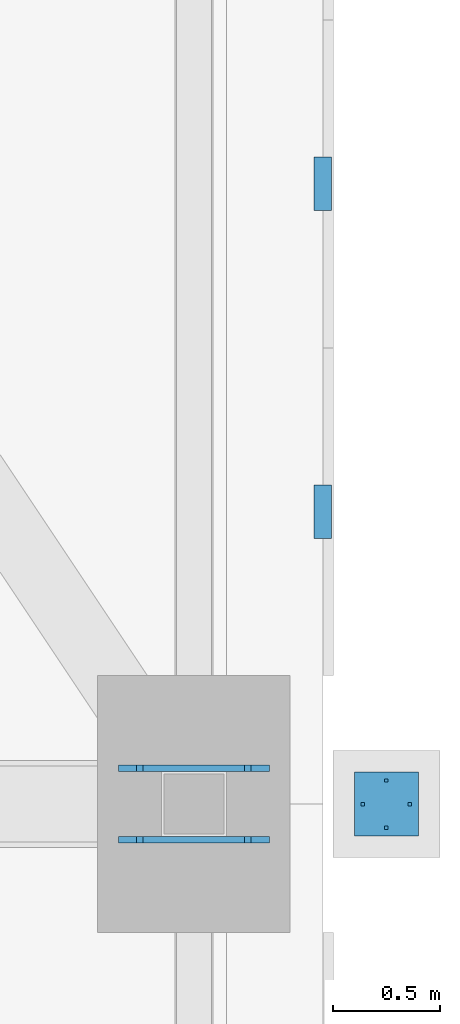
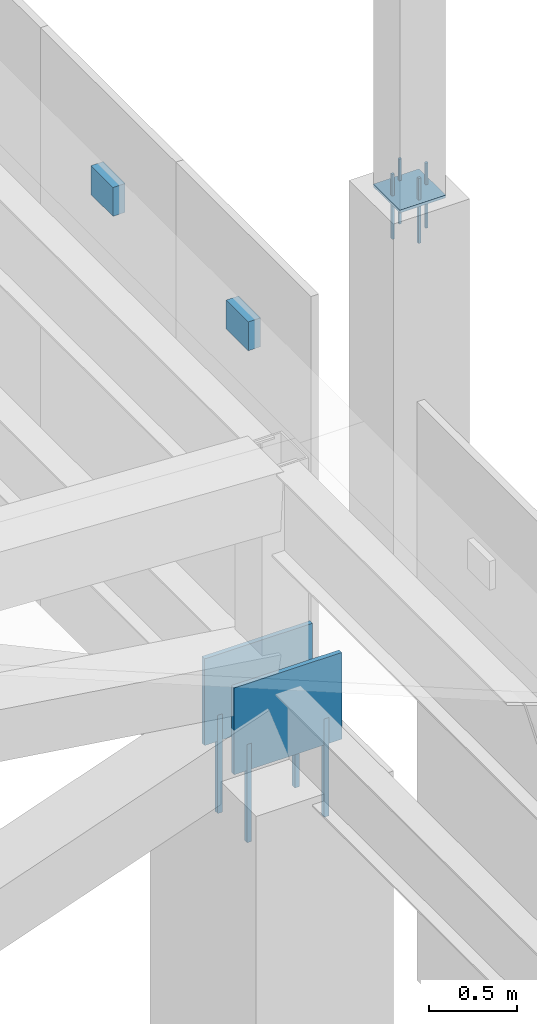
# One storey, part 205 of 278: 8 mechanical fasteners, 5 discrete accessories.
"""IFC4 building model written with IfcOpenShell, lengths in metres."""

from ifc_helpers import new_model, si_unit, direction, frame, origin, origin_2d, place, context, subcontext, project, spatial, rectangle, extrude, material, layer, layer_set, type_object, element, save


model = new_model("IFC4")

# Units and contexts
model_context = context("Model", 3, precision=1e-05, world=origin(), true_north=direction((0.0, 1.0)))
body_context = subcontext(model_context, "Body", "Model", "MODEL_VIEW")
ifc_project = project(units=[si_unit("LENGTHUNIT", "METRE"), si_unit("AREAUNIT", "SQUARE_METRE"), si_unit("VOLUMEUNIT", "CUBIC_METRE"), si_unit("PLANEANGLEUNIT", "RADIAN"), si_unit("MASSUNIT", "GRAM", prefix="KILO")], contexts=[model_context])

# Site, building, storey
site_placement = place(None, origin())
site = spatial("IfcSite", under=ifc_project, at=site_placement, CompositionType="ELEMENT")
building_placement = place(site_placement, origin())
building = spatial("IfcBuilding", under=site, at=building_placement, Name="Ogive Plaza Stadium", CompositionType="ELEMENT")
storey_placement = place(building_placement, frame((0.0, 0.0, 29.0)))
storey = spatial("IfcBuildingStorey", under=building, at=storey_placement, Name="Roof", CompositionType="ELEMENT", Elevation=29.0)

# Mechanical fasteners
ifc_material_1 = material(Name="Steel ASTM A992 Grade 50", Category="steel")
mechanical_fastener_type_1 = type_object("IfcMechanicalFastenerType", Name="Anchor bolt M30 x 600", PredefinedType="ANCHORBOLT", material=ifc_material_1)
for number, where, z_axis, x_axis, name in (
    (1, (84.25244140625, 7.66650390625, 3.0), (0.0, 0.0, 1.0), (1.0, 0.0, 0.0), "ANCHOR BOLT 04 BF 1.1"),
    (2, (83.74755859375, 7.66650390625, 3.0), (0.0, 0.0, 1.0), (1.0, 0.0, 0.0), "ANCHOR BOLT 04 BF 1.2"),
    (3, (84.25244140625, 7.33349609375, 3.0), (0.0, 0.0, 1.0), (1.0, 0.0, 0.0), "ANCHOR BOLT 04 BF 2.1"),
    (4, (83.74755859375, 7.33349609375, 3.0), (0.0, 0.0, 1.0), (1.0, 0.0, 0.0), "ANCHOR BOLT 04 BF 2.2"),
):
    element("IfcMechanicalFastener", number, at=place(storey_placement, frame(where, z_axis=z_axis, x_axis=x_axis)), inside=storey, type_object=mechanical_fastener_type_1, Name=name, PredefinedType="ANCHORBOLT", context=body_context, shape_type="SweptSolid", body=[
        extrude(rectangle(XDim=0.030029296875, YDim=0.030029296875, at=origin_2d()), origin(), (0.0, 0.0, 1.0), 0.679931640625),
    ])
ifc_material_2 = material(Name="Steel ASTM A992 Grade 50", Category="steel")
mechanical_fastener_type_2 = type_object("IfcMechanicalFastenerType", Name="Spire anchor bolt M16 x 450", PredefinedType="ANCHORBOLT", material=ifc_material_2)
for number, where, z_axis, x_axis, name in (
    (5, (85.010009765625, 7.5, 6.7001953125), (0.0, 0.0, 1.0), (1.0, 0.0, 0.0), "SPIRE ANCHOR BOLT 04 1"),
    (6, (84.7900390625, 7.5, 6.7001953125), (0.0, 0.0, 1.0), (1.0, 0.0, 0.0), "SPIRE ANCHOR BOLT 04 2"),
    (7, (84.89990234375, 7.610107421875, 6.7001953125), (0.0, 0.0, 1.0), (1.0, 0.0, 0.0), "SPIRE ANCHOR BOLT 04 3"),
    (8, (84.89990234375, 7.389892578125, 6.7001953125), (0.0, 0.0, 1.0), (1.0, 0.0, 0.0), "SPIRE ANCHOR BOLT 04 4"),
):
    element("IfcMechanicalFastener", number, at=place(storey_placement, frame(where, z_axis=z_axis, x_axis=x_axis)), inside=storey, type_object=mechanical_fastener_type_2, Name=name, PredefinedType="ANCHORBOLT", context=body_context, shape_type="SweptSolid", body=[
        extrude(rectangle(XDim=0.01611328125, YDim=0.01611328125, at=origin_2d()), origin(), (0.0, 0.0, 1.0), 0.449951171875),
    ])

# Discrete accessories
ifc_material_3 = material(Name="Steel ASTM A992 Grade 50", Category="steel")
ifc_layer_1 = layer(ifc_material_3, 0.02001953125)
ifc_layer_set_1 = layer_set([ifc_layer_1], Name="Steel ASTM A992 Grade 50")
discrete_accessory_type_1 = type_object("IfcDiscreteAccessoryType", Name="Spire seat plate 20", PredefinedType="ANCHORPLATE", material=ifc_layer_set_1)
discrete_accessory_placement = place(storey_placement, frame((84.89990234375, 7.5, 6.98095703125), z_axis=(0.0, 0.0, 1.0), x_axis=(1.0, 0.0, 0.0)))
element("IfcDiscreteAccessory", 9, at=discrete_accessory_placement, inside=storey, type_object=discrete_accessory_type_1, Name="SPIRE SEAT PLATE 04", PredefinedType="ANCHORPLATE", context=body_context, shape_type="SweptSolid", body=[
    extrude(rectangle(XDim=0.300048828125, YDim=0.300048828125, at=origin_2d()), origin(), (0.0, 0.0, 1.0), 0.02001953125),
])
ifc_material_4 = material(Name="Steel ASTM A572 Grade 50", Category="steel")
ifc_layer_2 = layer(ifc_material_4, 0.080078125)
ifc_layer_set_2 = layer_set([ifc_layer_2], Name="Steel ASTM A572 Grade 50")
discrete_accessory_type_2 = type_object("IfcDiscreteAccessoryType", Name="Tracery screen bracket 250x200", PredefinedType="BRACKET", material=ifc_layer_set_2)
for number, where, z_axis, x_axis, name in (
    (10, (84.602294921875, 10.39990234375, 5.25), (0.0, 0.0, 1.0), (0.0, -1.0, 0.0), "TRACERY SCREEN BRACKET B03 8"),
    (11, (84.602294921875, 8.86669921875, 5.25), (0.0, 0.0, 1.0), (0.0, -1.0, 0.0), "TRACERY SCREEN BRACKET B03 9"),
):
    element("IfcDiscreteAccessory", number, at=place(storey_placement, frame(where, z_axis=z_axis, x_axis=x_axis)), inside=storey, type_object=discrete_accessory_type_2, Name=name, PredefinedType="BRACKET", context=body_context, shape_type="SweptSolid", body=[
        extrude(rectangle(XDim=0.25, YDim=0.080078125, at=origin_2d()), origin(), (0.0, 0.0, 1.0), 0.199951171875),
    ])
ifc_material_5 = material(Name="Steel ASTM A992 Grade 50", Category="steel")
ifc_layer_3 = layer(ifc_material_5, 0.030029296875)
ifc_layer_set_3 = layer_set([ifc_layer_3], Name="Steel ASTM A992 Grade 50")
discrete_accessory_type_3 = type_object("IfcDiscreteAccessoryType", Name="Truss back-stay foot cleat plate 30", PredefinedType="ANCHORPLATE", material=ifc_layer_set_3)
for number, where, z_axis, x_axis, name in (
    (12, (84.0, 7.66650390625, 3.5), (0.0, 0.0, 1.0), (1.0, 0.0, 0.0), "TRUSS BACK-STAY FOOT CLEAT PLATE 04 1"),
    (13, (84.0, 7.33349609375, 3.5), (0.0, 0.0, 1.0), (1.0, 0.0, 0.0), "TRUSS BACK-STAY FOOT CLEAT PLATE 04 2"),
):
    element("IfcDiscreteAccessory", number, at=place(storey_placement, frame(where, z_axis=z_axis, x_axis=x_axis)), inside=storey, type_object=discrete_accessory_type_3, Name=name, PredefinedType="ANCHORPLATE", context=body_context, shape_type="SweptSolid", body=[
        extrude(rectangle(XDim=0.704833984375, YDim=0.030029296875, at=origin_2d()), origin(), (0.0, 0.0, 1.0), 0.60009765625),
    ])

save(model, "model.ifc")
